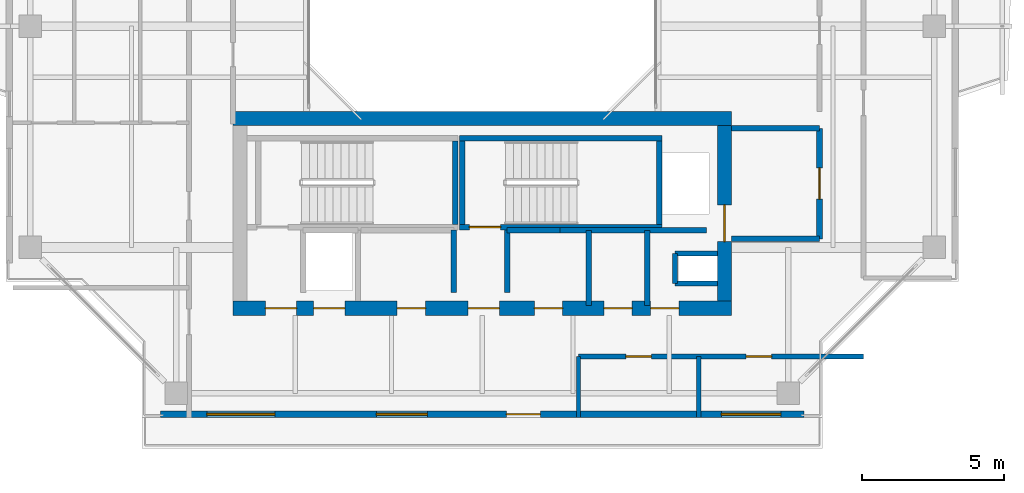
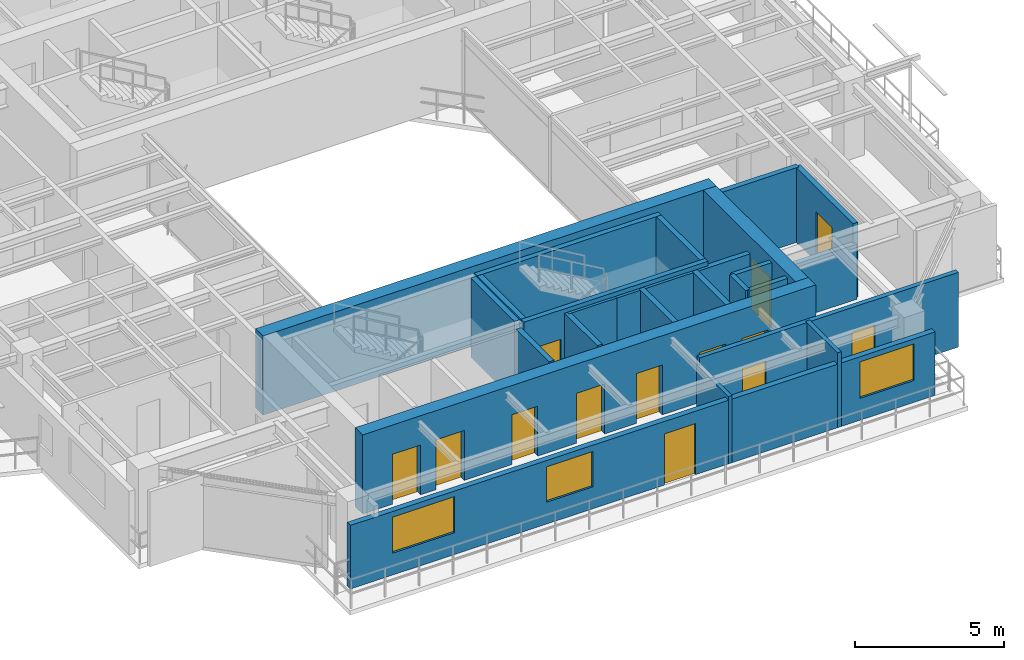
# One storey, part 10 of 16: 24 walls, 13 doors, 3 windows, 16 openings.
"""IFC4 building model written with IfcOpenShell, lengths in metres."""

import ifcopenshell
import ifcopenshell.guid

model = None  # the IFC model being written
_history = None  # IfcOwnerHistory: only IFC2X3 demands one
_inside = {}  # id of a spatial element -> (the spatial element, [elements in it])
_under = {}  # id of a project, library or spatial element -> (it, [spatial elements below it])
_declared = {}  # id of a project -> (the project, [libraries it declares])
_typed = {}  # id of a type object -> (the type object, [elements of that type])
_made_of = {}  # id of a material, layer set ... -> (it, [elements and type objects made of it])


def new_model(schema):
    """Start an empty IFC model of exactly this schema.

    Asked for "IFC4X3", IfcOpenShell would pick the latest addendum, in which some entities
    have other attributes; the version numbers below select the first issue.
    IFC2X3 requires an IfcOwnerHistory on every rooted entity: one is made here for all.
    """
    global model, _history
    if schema == "IFC4X3":
        model = ifcopenshell.file(schema_version=(4, 3, 0, 0))
    else:
        model = ifcopenshell.file(schema=schema)
    _inside.clear()
    _under.clear()
    _declared.clear()
    _typed.clear()
    _made_of.clear()
    _history = None
    if model.schema == "IFC2X3":
        org = make("IfcOrganization", Name="unknown")
        user = make(
            "IfcPersonAndOrganization",
            ThePerson=make("IfcPerson", FamilyName="unknown"),
            TheOrganization=org,
        )
        app = make(
            "IfcApplication",
            ApplicationDeveloper=org,
            Version="unknown",
            ApplicationFullName="unknown",
            ApplicationIdentifier="unknown",
        )
        _history = make(
            "IfcOwnerHistory",
            OwningUser=user,
            OwningApplication=app,
            ChangeAction="ADDED",
            CreationDate=0,
        )
    return model


def make(cls, **values):
    """One entity of the class cls with the attributes given. An attribute that is None is left unset."""
    return model.create_entity(
        cls, **{name: value for name, value in values.items() if value is not None}
    )


def rooted(cls, **values):
    """An entity with a GlobalId (a new one), such as an element, a storey or a relation."""
    return make(cls, GlobalId=ifcopenshell.guid.new(), OwnerHistory=_history, **values)


def si_unit(unit_type, name, prefix=None):
    """IfcSIUnit, for example si_unit("LENGTHUNIT", "METRE", prefix="MILLI")."""
    return make("IfcSIUnit", UnitType=unit_type, Prefix=prefix, Name=name)


def assignment(units):
    """IfcUnitAssignment: the units of a project."""
    return None if units is None else make("IfcUnitAssignment", Units=units)


def point(xyz):
    """IfcCartesianPoint."""
    return None if xyz is None else make("IfcCartesianPoint", Coordinates=xyz)


def direction(xyz):
    """IfcDirection."""
    return None if xyz is None else make("IfcDirection", DirectionRatios=xyz)


def frame(location, z_axis=None, x_axis=None):
    """IfcAxis2Placement3D, a coordinate frame: its origin and axes. An axis left out is left unset."""
    return make(
        "IfcAxis2Placement3D",
        Location=point(location),
        Axis=direction(z_axis),
        RefDirection=direction(x_axis),
    )


def frame_2d(location, x_axis=None):
    """IfcAxis2Placement2D, a coordinate frame in the plane: its origin and x axis."""
    return make(
        "IfcAxis2Placement2D", Location=point(location), RefDirection=direction(x_axis)
    )


def origin():
    """The frame at (0, 0, 0) with its axes left unset."""
    return frame((0.0, 0.0, 0.0))


def place(relative_to, where):
    """IfcLocalPlacement: puts the frame where relative to a parent placement (None: the world)."""
    return make(
        "IfcLocalPlacement", PlacementRelTo=relative_to, RelativePlacement=where
    )


def context(
    kind, dimensions, precision=None, world=None, true_north=None, identifier=None
):
    """IfcGeometricRepresentationContext, for example the 3D "Model" context."""
    return make(
        "IfcGeometricRepresentationContext",
        ContextIdentifier=identifier,
        ContextType=kind,
        CoordinateSpaceDimension=dimensions,
        Precision=precision,
        WorldCoordinateSystem=world,
        TrueNorth=true_north,
    )


def subcontext(parent, identifier, kind, view, scale=None):
    """IfcGeometricRepresentationSubContext, for example "Body" below "Model"."""
    return make(
        "IfcGeometricRepresentationSubContext",
        ContextIdentifier=identifier,
        ContextType=kind,
        ParentContext=parent,
        TargetScale=scale,
        TargetView=view,
    )


def project(units=None, contexts=None):
    """IfcProject with its units and contexts."""
    return rooted(
        "IfcProject",
        Name="project",
        RepresentationContexts=contexts,
        UnitsInContext=assignment(units),
    )


def spatial(cls, under=None, at=None, **own):
    """A site, building, storey or space (cls), placed at a placement, below another one or the project."""
    s = rooted(cls, ObjectPlacement=at, **own)
    if under is not None:
        _under.setdefault(under.id(), (under, []))[1].append(s)
    return s


def profile(cls, at=None, kind="AREA", **sizes):
    """A parametric profile (cls). Its sizes go by their IFC names, for example OverallWidth=200.0."""
    return make(cls, ProfileType=kind, Position=at, **sizes)


def rectangle(**sizes):
    """IfcRectangleProfileDef."""
    return profile("IfcRectangleProfileDef", **sizes)


def extrude(swept, where, along, depth):
    """IfcExtrudedAreaSolid: the profile swept, set in the frame where, extruded along a direction by depth."""
    return make(
        "IfcExtrudedAreaSolid",
        SweptArea=swept,
        Position=where,
        ExtrudedDirection=direction(along),
        Depth=depth,
    )


def shape(context_of_items, identifier, shape_type, items):
    """IfcShapeRepresentation: the items that make up one representation, for example the "Body"."""
    return make(
        "IfcShapeRepresentation",
        ContextOfItems=context_of_items,
        RepresentationIdentifier=identifier,
        RepresentationType=shape_type,
        Items=items,
    )


def source(mapping_origin, context_of_items, identifier, shape_type, items):
    """IfcRepresentationMap: a shape defined once, which mapped items show again and again."""
    return make(
        "IfcRepresentationMap",
        MappingOrigin=mapping_origin,
        MappedRepresentation=shape(context_of_items, identifier, shape_type, items),
    )


def transform(
    local_origin,
    x_axis=None,
    y_axis=None,
    z_axis=None,
    scale=None,
    scale2=None,
    scale3=None,
    uniform=True,
):
    """IfcCartesianTransformationOperator3D, or its non-uniform kind. x_axis, y_axis, z_axis: its Axis1, 2, 3."""
    if uniform:
        return make(
            "IfcCartesianTransformationOperator3D",
            Axis1=direction(x_axis),
            Axis2=direction(y_axis),
            LocalOrigin=point(local_origin),
            Scale=scale,
            Axis3=direction(z_axis),
        )
    return make(
        "IfcCartesianTransformationOperator3DnonUniform",
        Axis1=direction(x_axis),
        Axis2=direction(y_axis),
        LocalOrigin=point(local_origin),
        Scale=scale,
        Axis3=direction(z_axis),
        Scale2=scale2,
        Scale3=scale3,
    )


def mapped(mapping_source, mapping_target):
    """IfcMappedItem: shows the shape of a source again, moved by a transform."""
    return make(
        "IfcMappedItem", MappingSource=mapping_source, MappingTarget=mapping_target
    )


def material(Name=None, Category=None):
    """IfcMaterial."""
    return make("IfcMaterial", Name=Name, Category=Category)


def layer(
    of_material, thickness, ventilated=None, Name=None, Category=None, Priority=None
):
    """IfcMaterialLayer: one layer of a wall or slab, of a material (None: an air gap)."""
    return make(
        "IfcMaterialLayer",
        Material=of_material,
        LayerThickness=thickness,
        IsVentilated=ventilated,
        Name=Name,
        Category=Category,
        Priority=Priority,
    )


def layer_set(layers, Name=None):
    """IfcMaterialLayerSet."""
    return make("IfcMaterialLayerSet", MaterialLayers=layers, LayerSetName=Name)


def made_of(thing, what):
    """Note that an element or type object is made of a material, layer set ...; save() writes the relation."""
    if what is not None:
        _made_of.setdefault(what.id(), (what, []))[1].append(thing)
    return thing


def type_object(cls, material=None, **own):
    """A type object (cls), such as IfcWallType, which elements share."""
    return made_of(rooted(cls, **own), material)


def element(
    cls,
    number,
    at=None,
    inside=None,
    cuts=None,
    type_object=None,
    material=None,
    context=None,
    identifier="Body",
    shape_type=None,
    held_by="IfcProductDefinitionShape",
    body=None,
    shapes=None,
    **own,
):
    """One element of the class cls, such as IfcWall. Its Tag is "e" and its number.

    at: its placement. inside: the storey or other place that contains it. cuts: it is an
    opening in that element (IfcRelVoidsElement). A single representation is given by context,
    identifier, shape_type and body (its items); several are given by shapes. held_by: the class
    of the entity that holds the representations. save() writes the other relations.
    """
    e = rooted(cls, Tag="e%d" % number, ObjectPlacement=at, **own)
    if body is not None:
        shapes = [shape(context, identifier, shape_type, body)]
    if shapes is not None:
        e.Representation = make(held_by, Representations=shapes)
    if inside is not None:
        _inside.setdefault(inside.id(), (inside, []))[1].append(e)
    if cuts is not None:
        rooted(
            "IfcRelVoidsElement", RelatingBuildingElement=cuts, RelatedOpeningElement=e
        )
    if type_object is not None:
        _typed.setdefault(type_object.id(), (type_object, []))[1].append(e)
    return made_of(e, material)


def fill(opening, filler):
    """IfcRelFillsElement: the door or window that sits in an opening."""
    return rooted(
        "IfcRelFillsElement",
        RelatingOpeningElement=opening,
        RelatedBuildingElement=filler,
    )


def aggregate(whole, parts):
    """IfcRelAggregates: a whole, such as a stair, and the parts it consists of."""
    return rooted("IfcRelAggregates", RelatingObject=whole, RelatedObjects=parts)


def save(model, path):
    """Write the relations noted so far, then the file.

    IfcRelAggregates (storeys below a building ...), IfcRelContainedInSpatialStructure (elements
    in a storey), IfcRelDefinesByType, IfcRelAssociatesMaterial and IfcRelDeclares: one each for
    every whole, place, type object, material and project.
    """
    for whole, parts in _under.values():
        aggregate(whole, parts)
    for where, things in _inside.values():
        rooted(
            "IfcRelContainedInSpatialStructure",
            RelatedElements=things,
            RelatingStructure=where,
        )
    for kind, things in _typed.values():
        rooted("IfcRelDefinesByType", RelatedObjects=things, RelatingType=kind)
    for what, things in _made_of.values():
        rooted("IfcRelAssociatesMaterial", RelatedObjects=things, RelatingMaterial=what)
    for by, libraries in _declared.values():
        rooted("IfcRelDeclares", RelatingContext=by, RelatedDefinitions=libraries)
    model.write(path)


model = new_model("IFC4")

# Units and contexts
model_context = context("Model", 3, precision=1e-05, world=origin(), true_north=direction((0.0, 1.0)))
body_context = subcontext(model_context, "Body", "Model", "MODEL_VIEW")
ifc_project = project(units=[si_unit("LENGTHUNIT", "METRE"), si_unit("AREAUNIT", "SQUARE_METRE"), si_unit("VOLUMEUNIT", "CUBIC_METRE"), si_unit("PLANEANGLEUNIT", "RADIAN"), si_unit("MASSUNIT", "GRAM", prefix="KILO"), si_unit("THERMODYNAMICTEMPERATUREUNIT", "KELVIN"), si_unit("POWERUNIT", "WATT")], contexts=[model_context])

# Site, building, storey
site_placement = place(None, origin())
site = spatial("IfcSite", under=ifc_project, at=site_placement, CompositionType="ELEMENT")
building_placement = place(site_placement, origin())
building = spatial("IfcBuilding", under=site, at=building_placement, Name="Qiaomeng Ring Towers", CompositionType="ELEMENT")
storey_placement = place(building_placement, frame((0.0, 0.0, 190.5)))
storey = spatial("IfcBuildingStorey", under=building, at=storey_placement, Name="L55", CompositionType="ELEMENT", Elevation=190.5)

# Wall, openings, windows, door
ifc_material_1 = material(Name="Precast concrete C40", Category="concrete")
ifc_layer_1 = layer(ifc_material_1, 0.219970703125, Name="Precast concrete C40")
ifc_layer_set_1 = layer_set([ifc_layer_1], Name="Precast concrete C40")
wall_type_1 = type_object("IfcWallType", Name="ARC-WL-EW2", PredefinedType="STANDARD", material=ifc_layer_set_1)
wall_1_placement = place(storey_placement, frame((7.64990234375, 6.31005859375, 0.0), z_axis=(0.0, 0.0, 1.0), x_axis=(1.0, 0.0, 0.0)))
wall_1 = element("IfcWall", 1, at=wall_1_placement, inside=storey, type_object=wall_type_1, Name="L55 Tower 1 S Exterior Wall", PredefinedType="STANDARD", context=body_context, shape_type="SweptSolid", body=[
    extrude(rectangle(XDim=22.7001953125, YDim=0.219970703125, at=frame_2d((11.35009765625, 0.0))), origin(), (0.0, 0.0, 1.0), 2.610107421875),
])
opening_1_placement = place(wall_1_placement, frame((12.199951171875, 0.0, 0.0)))
opening_1 = element("IfcOpeningElement", 2, at=opening_1_placement, cuts=wall_1, Name="Opening BD1", PredefinedType="OPENING", context=body_context, shape_type="SweptSolid", body=[
    extrude(rectangle(XDim=1.199951171875, YDim=2.10009765625, at=frame_2d((0.60009765625, 1.050048828125))), frame((0.0, 0.119873046875, 0.0), z_axis=(0.0, -1.0, 0.0), x_axis=(1.0, 0.0, 0.0)), (0.0, 0.0, 1.0), 0.239990234375),
])
opening_2_placement = place(wall_1_placement, frame((1.636962890625, 0.0, 0.89990234375)))
opening_2 = element("IfcOpeningElement", 3, at=opening_2_placement, cuts=wall_1, Name="Opening WN6", PredefinedType="OPENING", context=body_context, shape_type="SweptSolid", body=[
    extrude(rectangle(XDim=2.39990234375, YDim=1.47998046875, at=frame_2d((1.199951171875, 0.739990234375))), frame((0.0, 0.119873046875, 0.0), z_axis=(0.0, -1.0, 0.0), x_axis=(1.0, 0.0, 0.0)), (0.0, 0.0, 1.0), 0.239990234375),
])
opening_3_placement = place(wall_1_placement, frame((7.612060546875, 0.0, 0.89990234375)))
opening_3 = element("IfcOpeningElement", 4, at=opening_3_placement, cuts=wall_1, Name="Opening WN1", PredefinedType="OPENING", context=body_context, shape_type="SweptSolid", body=[
    extrude(rectangle(XDim=1.800048828125, YDim=1.449951171875, at=frame_2d((0.89990234375, 0.72509765625))), frame((0.0, 0.119873046875, 0.0), z_axis=(0.0, -1.0, 0.0), x_axis=(1.0, 0.0, 0.0)), (0.0, 0.0, 1.0), 0.239990234375),
])
opening_4_placement = place(wall_1_placement, frame((19.78759765625, 0.0, 0.89990234375)))
opening_4 = element("IfcOpeningElement", 5, at=opening_4_placement, cuts=wall_1, Name="Opening WN4", PredefinedType="OPENING", context=body_context, shape_type="SweptSolid", body=[
    extrude(rectangle(XDim=2.10009765625, YDim=1.5, at=frame_2d((1.050048828125, 0.75))), frame((0.0, 0.119873046875, 0.0), z_axis=(0.0, -1.0, 0.0), x_axis=(1.0, 0.0, 0.0)), (0.0, 0.0, 1.0), 0.239990234375),
])
ifc_material_2 = material(Name="Low-E dark-grey laminated double glazing", Category="glass")
window_type_1 = type_object("IfcWindowType", Name="ARC-WN-4", PartitioningType="TRIPLE_PANEL_VERTICAL", PredefinedType="WINDOW", material=ifc_material_2)
shared_shape_1 = source(origin(), body_context, "Body", "SweptSolid", [
    extrude(rectangle(XDim=2.10009765625, YDim=1.5, at=frame_2d((1.050048828125, 0.75))), frame((0.0, 0.030029296875, 0.0), z_axis=(0.0, -1.0, 0.0), x_axis=(1.0, 0.0, 0.0)), (0.0, 0.0, 1.0), 0.06005859375),
])
window_1_placement = place(opening_4_placement, origin())
window_1 = element("IfcWindow", 6, at=window_1_placement, inside=storey, type_object=window_type_1, Name="L55 Exterior Window WN4", OverallHeight=1.5, OverallWidth=2.10009765625, PartitioningType="TRIPLE_PANEL_VERTICAL", PredefinedType="WINDOW", context=body_context, shape_type="MappedRepresentation", body=[
    mapped(shared_shape_1, transform((0.0, 0.0, 0.0), x_axis=(1.0, 0.0, 0.0), y_axis=(0.0, 1.0, 0.0), z_axis=(0.0, 0.0, 1.0), scale=1.0)),
])
fill(opening_4, window_1)
window_type_2 = type_object("IfcWindowType", Name="ARC-WN-1", PartitioningType="DOUBLE_PANEL_VERTICAL", PredefinedType="WINDOW", material=ifc_material_2)
shared_shape_2 = source(origin(), body_context, "Body", "SweptSolid", [
    extrude(rectangle(XDim=1.800048828125, YDim=1.449951171875, at=frame_2d((0.89990234375, 0.72509765625))), frame((0.0, 0.030029296875, 0.0), z_axis=(0.0, -1.0, 0.0), x_axis=(1.0, 0.0, 0.0)), (0.0, 0.0, 1.0), 0.06005859375),
])
window_2_placement = place(opening_3_placement, origin())
window_2 = element("IfcWindow", 7, at=window_2_placement, inside=storey, type_object=window_type_2, Name="L55 Exterior Window WN1", OverallHeight=1.449951171875, OverallWidth=1.800048828125, PartitioningType="DOUBLE_PANEL_VERTICAL", PredefinedType="WINDOW", context=body_context, shape_type="MappedRepresentation", body=[
    mapped(shared_shape_2, transform((0.0, 0.0, 0.0), x_axis=(1.0, 0.0, 0.0), y_axis=(0.0, 1.0, 0.0), z_axis=(0.0, 0.0, 1.0), scale=1.0)),
])
fill(opening_3, window_2)
window_type_3 = type_object("IfcWindowType", Name="ARC-WN-6", PartitioningType="TRIPLE_PANEL_VERTICAL", PredefinedType="WINDOW", material=ifc_material_2)
shared_shape_3 = source(origin(), body_context, "Body", "SweptSolid", [
    extrude(rectangle(XDim=2.39990234375, YDim=1.47998046875, at=frame_2d((1.199951171875, 0.739990234375))), frame((0.0, 0.030029296875, 0.0), z_axis=(0.0, -1.0, 0.0), x_axis=(1.0, 0.0, 0.0)), (0.0, 0.0, 1.0), 0.06005859375),
])
window_3_placement = place(opening_2_placement, origin())
window_3 = element("IfcWindow", 8, at=window_3_placement, inside=storey, type_object=window_type_3, Name="L55 Exterior Window WN6", OverallHeight=1.47998046875, OverallWidth=2.39990234375, PartitioningType="TRIPLE_PANEL_VERTICAL", PredefinedType="WINDOW", context=body_context, shape_type="MappedRepresentation", body=[
    mapped(shared_shape_3, transform((0.0, 0.0, 0.0), x_axis=(1.0, 0.0, 0.0), y_axis=(0.0, 1.0, 0.0), z_axis=(0.0, 0.0, 1.0), scale=1.0)),
])
fill(opening_2, window_3)
door_type_1 = type_object("IfcDoorType", Name="ARC-DR-BD1", OperationType="NOTDEFINED", PredefinedType="DOOR", material=ifc_material_2)
shared_shape_4 = source(origin(), body_context, "Body", "SweptSolid", [
    extrude(rectangle(XDim=1.199951171875, YDim=2.10009765625, at=frame_2d((0.60009765625, 1.050048828125))), frame((0.0, 0.02490234375, 0.0), z_axis=(0.0, -1.0, 0.0), x_axis=(1.0, 0.0, 0.0)), (0.0, 0.0, 1.0), 0.050048828125),
])
door_1_placement = place(opening_1_placement, frame((1.199951171875, 0.0, 0.0), z_axis=(0.0, 0.0, 1.0), x_axis=(-1.0, 0.0, 0.0)))
door_1 = element("IfcDoor", 9, at=door_1_placement, inside=storey, type_object=door_type_1, Name="L55 Setback Sky Terrace Door", OperationType="SINGLE_SWING_RIGHT", OverallHeight=2.10009765625, OverallWidth=1.199951171875, PredefinedType="DOOR", context=body_context, shape_type="MappedRepresentation", body=[
    mapped(shared_shape_4, transform((0.0, 0.0, 0.0), x_axis=(1.0, 0.0, 0.0), y_axis=(0.0, 1.0, 0.0), z_axis=(0.0, 0.0, 1.0), scale=1.0)),
])
fill(opening_1, door_1)

# Walls
ifc_material_3 = material(Name="Autoclaved aerated concrete block", Category="concrete")
ifc_layer_2 = layer(ifc_material_3, 0.199951171875, Name="Autoclaved aerated concrete block")
ifc_layer_set_2 = layer_set([ifc_layer_2], Name="Autoclaved aerated concrete block")
wall_type_2 = type_object("IfcWallType", Name="ARC-WL-PW1", PredefinedType="PARTITIONING", material=ifc_layer_set_2)
wall_2_placement = place(storey_placement, frame((27.800048828125, 16.39990234375, 0.0), z_axis=(0.0, 0.0, 1.0), x_axis=(1.0, 0.0, 0.0)))
element("IfcWall", 10, at=wall_2_placement, inside=storey, type_object=wall_type_2, Name="L55 Interior Wall PW1", PredefinedType="PARTITIONING", context=body_context, shape_type="SweptSolid", body=[
    extrude(rectangle(XDim=3.099853515625, YDim=0.199951171875, at=frame_2d((1.5498046875, 0.0))), origin(), (0.0, 0.0, 1.0), 3.070068359375),
])
wall_3_placement = place(storey_placement, frame((27.800048828125, 12.5, 0.0), z_axis=(0.0, 0.0, 1.0), x_axis=(1.0, 0.0, 0.0)))
element("IfcWall", 11, at=wall_3_placement, inside=storey, type_object=wall_type_2, Name="L55 Interior Wall PW1", PredefinedType="PARTITIONING", context=body_context, shape_type="SweptSolid", body=[
    extrude(rectangle(XDim=3.099853515625, YDim=0.199951171875, at=frame_2d((1.5498046875, 0.0))), origin(), (0.0, 0.0, 1.0), 2.264892578125),
])

# Wall, opening, door
wall_4_placement = place(storey_placement, frame((30.89990234375, 12.5, 0.0), z_axis=(0.0, 0.0, 1.0), x_axis=(0.0, 1.0, 0.0)))
wall_4 = element("IfcWall", 12, at=wall_4_placement, inside=storey, type_object=wall_type_2, Name="L55 Interior Wall PW1", PredefinedType="PARTITIONING", context=body_context, shape_type="SweptSolid", body=[
    extrude(rectangle(XDim=3.89990234375, YDim=0.199951171875, at=frame_2d((1.949951171875, 0.0))), origin(), (0.0, 0.0, 1.0), 3.070068359375),
])
opening_5_placement = place(wall_4_placement, frame((1.39990234375, 0.0, 0.0)))
opening_5 = element("IfcOpeningElement", 13, at=opening_5_placement, cuts=wall_4, Name="Opening FD3", PredefinedType="OPENING", context=body_context, shape_type="SweptSolid", body=[
    extrude(rectangle(XDim=1.10009765625, YDim=2.050048828125, at=frame_2d((0.550048828125, 1.02490234375))), frame((0.0, 0.10986328125, 0.0), z_axis=(0.0, -1.0, 0.0), x_axis=(1.0, 0.0, 0.0)), (0.0, 0.0, 1.0), 0.219970703125),
])
ifc_material_4 = material(Name="Galvanised steel", Category="steel")
door_type_2 = type_object("IfcDoorType", Name="ARC-DR-FD3", OperationType="NOTDEFINED", PredefinedType="DOOR", material=ifc_material_4)
shared_shape_5 = source(origin(), body_context, "Body", "SweptSolid", [
    extrude(rectangle(XDim=1.10009765625, YDim=2.050048828125, at=frame_2d((0.550048828125, 1.02490234375))), frame((0.0, 0.02490234375, 0.0), z_axis=(0.0, -1.0, 0.0), x_axis=(1.0, 0.0, 0.0)), (0.0, 0.0, 1.0), 0.050048828125),
])
door_2_placement = place(opening_5_placement, origin())
door_2 = element("IfcDoor", 14, at=door_2_placement, inside=storey, type_object=door_type_2, Name="L55 South FF Lobby Door", OperationType="SINGLE_SWING_RIGHT", OverallHeight=2.050048828125, OverallWidth=1.10009765625, PredefinedType="DOOR", context=body_context, shape_type="MappedRepresentation", body=[
    mapped(shared_shape_5, transform((0.0, 0.0, 0.0), x_axis=(1.0, 0.0, 0.0), y_axis=(0.0, 1.0, 0.0), z_axis=(0.0, 0.0, 1.0), scale=1.0)),
])
fill(opening_5, door_2)

# Walls
for number, where, z_axis, x_axis, name in (
    (15, (18.0, 10.60009765625, 0.0), (0.0, 0.0, 1.0), (0.0, 1.0, 0.0), "L55 Interior Wall PW1"),
    (16, (19.8798828125, 10.60009765625, 0.0), (0.0, 0.0, 1.0), (0.0, 1.0, 0.0), "L55 Interior Wall PW1"),
):
    element("IfcWall", number, at=place(storey_placement, frame(where, z_axis=z_axis, x_axis=x_axis)), inside=storey, type_object=wall_type_2, Name=name, PredefinedType="PARTITIONING", context=body_context, shape_type="SweptSolid", body=[
        extrude(rectangle(XDim=2.2099609375, YDim=0.199951171875, at=frame_2d((1.10498046875, 0.0))), origin(), (0.0, 0.0, 1.0), 3.070068359375),
    ])
wall_5_placement = place(storey_placement, frame((24.820068359375, 10.14990234375, 0.0), z_axis=(0.0, 0.0, 1.0), x_axis=(0.0, 1.0, 0.0)))
element("IfcWall", 17, at=wall_5_placement, inside=storey, type_object=wall_type_2, Name="L55 Interior Wall PW1", PredefinedType="PARTITIONING", context=body_context, shape_type="SweptSolid", body=[
    extrude(rectangle(XDim=2.650146484375, YDim=0.199951171875, at=frame_2d((1.3251953125, 0.0))), origin(), (0.0, 0.0, 1.0), 3.070068359375),
])
wall_6_placement = place(storey_placement, frame((19.8798828125, 12.800048828125, 0.0), z_axis=(0.0, 0.0, 1.0), x_axis=(1.0, 0.0, 0.0)))
element("IfcWall", 18, at=wall_6_placement, inside=storey, type_object=wall_type_2, Name="L55 Interior Wall PW1", PredefinedType="PARTITIONING", context=body_context, shape_type="SweptSolid", body=[
    extrude(rectangle(XDim=1.8701171875, YDim=0.199951171875, at=frame_2d((0.93505859375, 0.0))), origin(), (0.0, 0.0, 1.0), 3.070068359375),
])
wall_7_placement = place(storey_placement, frame((22.760009765625, 10.14990234375, 0.0), z_axis=(0.0, 0.0, 1.0), x_axis=(0.0, 1.0, 0.0)))
element("IfcWall", 19, at=wall_7_placement, inside=storey, type_object=wall_type_2, Name="L55 Interior Wall PW1", PredefinedType="PARTITIONING", context=body_context, shape_type="SweptSolid", body=[
    extrude(rectangle(XDim=2.650146484375, YDim=0.199951171875, at=frame_2d((1.3251953125, 0.0))), origin(), (0.0, 0.0, 1.0), 3.070068359375),
])
wall_8_placement = place(storey_placement, frame((21.75, 12.800048828125, 0.0), z_axis=(0.0, 0.0, 1.0), x_axis=(1.0, 0.0, 0.0)))
element("IfcWall", 20, at=wall_8_placement, inside=storey, type_object=wall_type_2, Name="L55 Interior Wall PW1", PredefinedType="PARTITIONING", context=body_context, shape_type="SweptSolid", body=[
    extrude(rectangle(XDim=5.169921875, YDim=0.199951171875, at=frame_2d((2.5849609375, 0.0))), origin(), (0.0, 0.0, 1.0), 3.070068359375),
])

# Wall, openings, doors
ifc_layer_3 = layer(ifc_material_3, 0.179931640625, Name="Autoclaved aerated concrete block")
ifc_layer_set_3 = layer_set([ifc_layer_3], Name="Autoclaved aerated concrete block")
wall_type_3 = type_object("IfcWallType", Name="ARC-WL-PW2", PredefinedType="PARTITIONING", material=ifc_layer_set_3)
wall_9_placement = place(storey_placement, frame((22.39990234375, 8.35009765625, 0.0), z_axis=(0.0, 0.0, 1.0), x_axis=(1.0, 0.0, 0.0)))
wall_9 = element("IfcWall", 21, at=wall_9_placement, inside=storey, type_object=wall_type_3, Name="L55 Interior Wall PW2", PredefinedType="PARTITIONING", context=body_context, shape_type="SweptSolid", body=[
    extrude(rectangle(XDim=10.050048828125, YDim=0.179931640625, at=frame_2d((5.02490234375, 0.0))), origin(), (0.0, 0.0, 1.0), 3.070068359375),
])
opening_6_placement = place(wall_9_placement, frame((1.669921875, 0.0, 0.0)))
opening_6 = element("IfcOpeningElement", 22, at=opening_6_placement, cuts=wall_9, Name="Opening ID1", PredefinedType="OPENING", context=body_context, shape_type="SweptSolid", body=[
    extrude(rectangle(XDim=0.89990234375, YDim=2.050048828125, at=frame_2d((0.449951171875, 1.02490234375))), frame((0.0, 0.099853515625, 0.0), z_axis=(0.0, -1.0, 0.0), x_axis=(1.0, 0.0, 0.0)), (0.0, 0.0, 1.0), 0.199951171875),
])
opening_7_placement = place(wall_9_placement, frame((5.909912109375, 0.0, 0.0)))
opening_7 = element("IfcOpeningElement", 23, at=opening_7_placement, cuts=wall_9, Name="Opening ID1", PredefinedType="OPENING", context=body_context, shape_type="SweptSolid", body=[
    extrude(rectangle(XDim=0.89990234375, YDim=2.050048828125, at=frame_2d((0.449951171875, 1.02490234375))), frame((0.0, 0.099853515625, 0.0), z_axis=(0.0, -1.0, 0.0), x_axis=(1.0, 0.0, 0.0)), (0.0, 0.0, 1.0), 0.199951171875),
])
ifc_material_5 = material(Name="Engineered oak timber", Category="wood")
door_type_3 = type_object("IfcDoorType", Name="ARC-DR-ID1", OperationType="NOTDEFINED", PredefinedType="DOOR", material=ifc_material_5)
shared_shape_6 = source(origin(), body_context, "Body", "SweptSolid", [
    extrude(rectangle(XDim=0.89990234375, YDim=2.050048828125, at=frame_2d((0.449951171875, 1.02490234375))), frame((0.0, 0.02490234375, 0.0), z_axis=(0.0, -1.0, 0.0), x_axis=(1.0, 0.0, 0.0)), (0.0, 0.0, 1.0), 0.050048828125),
])
door_3_placement = place(opening_6_placement, origin())
door_3 = element("IfcDoor", 24, at=door_3_placement, inside=storey, type_object=door_type_3, Name="L55 Door ID1", OperationType="SINGLE_SWING_LEFT", OverallHeight=2.050048828125, OverallWidth=0.89990234375, PredefinedType="DOOR", context=body_context, shape_type="MappedRepresentation", body=[
    mapped(shared_shape_6, transform((0.0, 0.0, 0.0), x_axis=(1.0, 0.0, 0.0), y_axis=(0.0, 1.0, 0.0), z_axis=(0.0, 0.0, 1.0), scale=1.0)),
])
fill(opening_6, door_3)
door_4_placement = place(opening_7_placement, origin())
door_4 = element("IfcDoor", 25, at=door_4_placement, inside=storey, type_object=door_type_3, Name="L55 Door ID1", OperationType="SINGLE_SWING_RIGHT", OverallHeight=2.050048828125, OverallWidth=0.89990234375, PredefinedType="DOOR", context=body_context, shape_type="MappedRepresentation", body=[
    mapped(shared_shape_6, transform((0.0, 0.0, 0.0), x_axis=(1.0, 0.0, 0.0), y_axis=(0.0, 1.0, 0.0), z_axis=(0.0, 0.0, 1.0), scale=1.0)),
])
fill(opening_7, door_4)

# Walls
ifc_material_6 = material(Name="Gypsum fireboard steel-stud partition", Category="steel")
ifc_layer_4 = layer(ifc_material_6, 0.14990234375, Name="Gypsum fireboard steel-stud partition")
ifc_layer_set_4 = layer_set([ifc_layer_4], Name="Gypsum fireboard steel-stud partition")
wall_type_4 = type_object("IfcWallType", Name="ARC-WL-PW3", PredefinedType="PARTITIONING", material=ifc_layer_set_4)
wall_10_placement = place(storey_placement, frame((22.39990234375, 6.199951171875, 0.0), z_axis=(0.0, 0.0, 1.0), x_axis=(0.0, 1.0, 0.0)))
element("IfcWall", 26, at=wall_10_placement, inside=storey, type_object=wall_type_4, Name="L55 Interior Wall PW3", PredefinedType="PARTITIONING", context=body_context, shape_type="SweptSolid", body=[
    extrude(rectangle(XDim=2.150146484375, YDim=0.14990234375, at=frame_2d((1.0751953125, 0.0))), origin(), (0.0, 0.0, 1.0), 2.764892578125),
])
wall_11_placement = place(storey_placement, frame((26.639892578125, 6.199951171875, 0.0), z_axis=(0.0, 0.0, 1.0), x_axis=(0.0, 1.0, 0.0)))
element("IfcWall", 27, at=wall_11_placement, inside=storey, type_object=wall_type_4, Name="L55 Interior Wall PW3", PredefinedType="PARTITIONING", context=body_context, shape_type="SweptSolid", body=[
    extrude(rectangle(XDim=2.150146484375, YDim=0.14990234375, at=frame_2d((1.0751953125, 0.0))), origin(), (0.0, 0.0, 1.0), 3.070068359375),
])
ifc_material_7 = material(Name="Concrete C40", Category="concrete")
ifc_layer_5 = layer(ifc_material_7, 0.199951171875, Name="Concrete C40")
ifc_layer_set_5 = layer_set([ifc_layer_5], Name="Concrete C40")
wall_type_5 = type_object("IfcWallType", Name="STR-WL-STSHAFT", PredefinedType="SHEAR", material=ifc_layer_set_5)
wall_12_placement = place(storey_placement, frame((25.800048828125, 10.919921875, 0.0), z_axis=(0.0, 0.0, 1.0), x_axis=(0.0, 1.0, 0.0)))
element("IfcWall", 28, at=wall_12_placement, inside=storey, type_object=wall_type_5, Name="L55 Riser RSR1 West Shaft Wall S", PredefinedType="SHEAR", context=body_context, shape_type="SweptSolid", body=[
    extrude(rectangle(XDim=1.06005859375, YDim=0.179931640625, at=frame_2d((0.530029296875, 0.0))), origin(), (0.0, 0.0, 1.0), 3.070068359375),
])
for number, where, z_axis, x_axis, name in (
    (29, (25.800048828125, 11.97998046875, 0.0), (0.0, 0.0, 1.0), (1.0, 0.0, 0.0), "L55 Riser RSR1 North Shaft Wall S"),
    (30, (25.800048828125, 10.919921875, 0.0), (0.0, 0.0, 1.0), (1.0, 0.0, 0.0), "L55 Riser RSR1 South Shaft Wall S"),
):
    element("IfcWall", number, at=place(storey_placement, frame(where, z_axis=z_axis, x_axis=x_axis)), inside=storey, type_object=wall_type_5, Name=name, PredefinedType="SHEAR", context=body_context, shape_type="SweptSolid", body=[
        extrude(rectangle(XDim=1.5, YDim=0.179931640625, at=frame_2d((0.75, 0.0))), origin(), (0.0, 0.0, 1.0), 3.070068359375),
    ])
wall_13_placement = place(storey_placement, frame((18.050048828125, 13.010009765625, 0.0), z_axis=(0.0, 0.0, 1.0), x_axis=(0.0, 1.0, 0.0)))
element("IfcWall", 31, at=wall_13_placement, inside=storey, type_object=wall_type_5, Name="L55 Stair ST3 East Shaft Shear Wall", PredefinedType="SHEAR", context=body_context, shape_type="SweptSolid", body=[
    extrude(rectangle(XDim=2.93994140625, YDim=0.199951171875, at=frame_2d((1.469970703125, 0.0))), origin(), (0.0, 0.0, 1.0), 3.25),
])

# Wall, opening, door
wall_14_placement = place(storey_placement, frame((18.199951171875, 12.909912109375, 0.0), z_axis=(0.0, 0.0, 1.0), x_axis=(1.0, 0.0, 0.0)))
wall_14 = element("IfcWall", 32, at=wall_14_placement, inside=storey, type_object=wall_type_5, Name="L55 Stair ST4 South Shaft Shear Wall", PredefinedType="SHEAR", context=body_context, shape_type="SweptSolid", body=[
    extrude(rectangle(XDim=7.150146484375, YDim=0.199951171875, at=frame_2d((3.5751953125, 0.0))), origin(), (0.0, 0.0, 1.0), 3.25),
])
opening_8_placement = place(wall_14_placement, frame((0.35009765625, 0.0, 0.0)))
opening_8 = element("IfcOpeningElement", 33, at=opening_8_placement, cuts=wall_14, Name="Opening FD3", PredefinedType="OPENING", context=body_context, shape_type="SweptSolid", body=[
    extrude(rectangle(XDim=1.10009765625, YDim=2.050048828125, at=frame_2d((0.550048828125, 1.02490234375))), frame((0.0, 0.10986328125, 0.0), z_axis=(0.0, -1.0, 0.0), x_axis=(1.0, 0.0, 0.0)), (0.0, 0.0, 1.0), 0.219970703125),
])
door_5_placement = place(opening_8_placement, frame((1.10009765625, 0.0, 0.0), z_axis=(0.0, 0.0, 1.0), x_axis=(-1.0, 0.0, 0.0)))
door_5 = element("IfcDoor", 34, at=door_5_placement, inside=storey, type_object=door_type_2, Name="L55 Stair ST4 Exit Door", OperationType="SINGLE_SWING_RIGHT", OverallHeight=2.050048828125, OverallWidth=1.10009765625, PredefinedType="DOOR", context=body_context, shape_type="MappedRepresentation", body=[
    mapped(shared_shape_5, transform((0.0, 0.0, 0.0), x_axis=(1.0, 0.0, 0.0), y_axis=(0.0, 1.0, 0.0), z_axis=(0.0, 0.0, 1.0), scale=1.0)),
])
fill(opening_8, door_5)

# Walls
wall_15_placement = place(storey_placement, frame((18.199951171875, 16.050048828125, 0.0), z_axis=(0.0, 0.0, 1.0), x_axis=(1.0, 0.0, 0.0)))
element("IfcWall", 35, at=wall_15_placement, inside=storey, type_object=wall_type_5, Name="L55 Stair ST4 North Shaft Shear Wall", PredefinedType="SHEAR", context=body_context, shape_type="SweptSolid", body=[
    extrude(rectangle(XDim=7.150146484375, YDim=0.199951171875, at=frame_2d((3.5751953125, 0.0))), origin(), (0.0, 0.0, 1.0), 3.25),
])
for number, where, z_axis, x_axis, name in (
    (36, (18.300048828125, 13.010009765625, 0.0), (0.0, 0.0, 1.0), (0.0, 1.0, 0.0), "L55 Stair ST4 West Shaft Shear Wall"),
    (37, (25.25, 13.010009765625, 0.0), (0.0, 0.0, 1.0), (0.0, 1.0, 0.0), "L55 Stair ST4 East Shaft Shear Wall"),
):
    element("IfcWall", number, at=place(storey_placement, frame(where, z_axis=z_axis, x_axis=x_axis)), inside=storey, type_object=wall_type_5, Name=name, PredefinedType="SHEAR", context=body_context, shape_type="SweptSolid", body=[
        extrude(rectangle(XDim=2.93994140625, YDim=0.199951171875, at=frame_2d((1.469970703125, 0.0))), origin(), (0.0, 0.0, 1.0), 3.25),
    ])

# Wall, openings, doors
ifc_layer_6 = layer(ifc_material_7, 0.5, Name="Concrete C40")
ifc_layer_set_6 = layer_set([ifc_layer_6], Name="Concrete C40")
wall_type_6 = type_object("IfcWallType", Name="STR-WL-SW3", PredefinedType="SHEAR", material=ifc_layer_set_6)
wall_16_placement = place(storey_placement, frame((10.199951171875, 10.050048828125, 0.0), z_axis=(0.0, 0.0, 1.0), x_axis=(1.0, 0.0, 0.0)))
wall_16 = element("IfcWall", 38, at=wall_16_placement, inside=storey, type_object=wall_type_6, Name="L55 T1SC south core shear wall", PredefinedType="SHEAR", context=body_context, shape_type="SweptSolid", body=[
    extrude(rectangle(XDim=17.60009765625, YDim=0.5, at=frame_2d((8.800048828125, 0.0))), origin(), (0.0, 0.0, 1.0), 3.25),
])
opening_9_placement = place(wall_16_placement, frame((1.14990234375, 0.0, 0.0)))
opening_9 = element("IfcOpeningElement", 39, at=opening_9_placement, cuts=wall_16, Name="Opening FD3", PredefinedType="OPENING", context=body_context, shape_type="SweptSolid", body=[
    extrude(rectangle(XDim=1.10009765625, YDim=2.050048828125, at=frame_2d((0.550048828125, 1.02490234375))), frame((0.0, 0.260009765625, 0.0), z_axis=(0.0, -1.0, 0.0), x_axis=(1.0, 0.0, 0.0)), (0.0, 0.0, 1.0), 0.52001953125),
])
opening_10_placement = place(wall_16_placement, frame((8.300048828125, 0.0, 0.0)))
opening_10 = element("IfcOpeningElement", 40, at=opening_10_placement, cuts=wall_16, Name="Opening FD3", PredefinedType="OPENING", context=body_context, shape_type="SweptSolid", body=[
    extrude(rectangle(XDim=1.10009765625, YDim=2.050048828125, at=frame_2d((0.550048828125, 1.02490234375))), frame((0.0, 0.260009765625, 0.0), z_axis=(0.0, -1.0, 0.0), x_axis=(1.0, 0.0, 0.0)), (0.0, 0.0, 1.0), 0.52001953125),
])
opening_11_placement = place(wall_16_placement, frame((2.85009765625, 0.0, 0.0)))
opening_11 = element("IfcOpeningElement", 41, at=opening_11_placement, cuts=wall_16, Name="Opening LD1", PredefinedType="OPENING", context=body_context, shape_type="SweptSolid", body=[
    extrude(rectangle(XDim=1.10009765625, YDim=2.050048828125, at=frame_2d((0.550048828125, 1.02490234375))), frame((0.0, 0.260009765625, 0.0), z_axis=(0.0, -1.0, 0.0), x_axis=(1.0, 0.0, 0.0)), (0.0, 0.0, 1.0), 0.52001953125),
])
opening_12_placement = place(wall_16_placement, frame((5.800048828125, 0.0, 0.0)))
opening_12 = element("IfcOpeningElement", 42, at=opening_12_placement, cuts=wall_16, Name="Opening FD1", PredefinedType="OPENING", context=body_context, shape_type="SweptSolid", body=[
    extrude(rectangle(XDim=1.0, YDim=2.050048828125, at=frame_2d((0.5, 1.02490234375))), frame((0.0, 0.260009765625, 0.0), z_axis=(0.0, -1.0, 0.0), x_axis=(1.0, 0.0, 0.0)), (0.0, 0.0, 1.0), 0.52001953125),
])
opening_13_placement = place(wall_16_placement, frame((14.739990234375, 0.0, 0.0)))
opening_13 = element("IfcOpeningElement", 43, at=opening_13_placement, cuts=wall_16, Name="Opening FD1", PredefinedType="OPENING", context=body_context, shape_type="SweptSolid", body=[
    extrude(rectangle(XDim=1.0, YDim=2.050048828125, at=frame_2d((0.5, 1.02490234375))), frame((0.0, 0.260009765625, 0.0), z_axis=(0.0, -1.0, 0.0), x_axis=(1.0, 0.0, 0.0)), (0.0, 0.0, 1.0), 0.52001953125),
])
opening_14_placement = place(wall_16_placement, frame((10.639892578125, 0.0, 0.0)))
opening_14 = element("IfcOpeningElement", 44, at=opening_14_placement, cuts=wall_16, Name="Opening FD1", PredefinedType="OPENING", context=body_context, shape_type="SweptSolid", body=[
    extrude(rectangle(XDim=1.0, YDim=2.050048828125, at=frame_2d((0.5, 1.02490234375))), frame((0.0, 0.260009765625, 0.0), z_axis=(0.0, -1.0, 0.0), x_axis=(1.0, 0.0, 0.0)), (0.0, 0.0, 1.0), 0.52001953125),
])
opening_15_placement = place(wall_16_placement, frame((13.090087890625, 0.0, 0.0)))
opening_15 = element("IfcOpeningElement", 45, at=opening_15_placement, cuts=wall_16, Name="Opening FD1", PredefinedType="OPENING", context=body_context, shape_type="SweptSolid", body=[
    extrude(rectangle(XDim=1.0, YDim=2.050048828125, at=frame_2d((0.5, 1.02490234375))), frame((0.0, 0.260009765625, 0.0), z_axis=(0.0, -1.0, 0.0), x_axis=(1.0, 0.0, 0.0)), (0.0, 0.0, 1.0), 0.52001953125),
])
door_6_placement = place(opening_9_placement, origin())
door_6 = element("IfcDoor", 46, at=door_6_placement, inside=storey, type_object=door_type_2, Name="L55 Stair ST3 Lobby Door", OperationType="SINGLE_SWING_LEFT", OverallHeight=2.050048828125, OverallWidth=1.10009765625, PredefinedType="DOOR", context=body_context, shape_type="MappedRepresentation", body=[
    mapped(shared_shape_5, transform((0.0, 0.0, 0.0), x_axis=(1.0, 0.0, 0.0), y_axis=(0.0, 1.0, 0.0), z_axis=(0.0, 0.0, 1.0), scale=1.0)),
])
fill(opening_9, door_6)
door_7_placement = place(opening_10_placement, origin())
door_7 = element("IfcDoor", 47, at=door_7_placement, inside=storey, type_object=door_type_2, Name="L55 Stair ST4 Lobby Door", OperationType="SINGLE_SWING_LEFT", OverallHeight=2.050048828125, OverallWidth=1.10009765625, PredefinedType="DOOR", context=body_context, shape_type="MappedRepresentation", body=[
    mapped(shared_shape_5, transform((0.0, 0.0, 0.0), x_axis=(1.0, 0.0, 0.0), y_axis=(0.0, 1.0, 0.0), z_axis=(0.0, 0.0, 1.0), scale=1.0)),
])
fill(opening_10, door_7)
ifc_material_8 = material(Name="Stainless steel 316", Category="steel")
door_type_4 = type_object("IfcDoorType", Name="ARC-DR-LD1", OperationType="NOTDEFINED", PredefinedType="DOOR", material=ifc_material_8)
door_8_placement = place(opening_11_placement, origin())
door_8 = element("IfcDoor", 48, at=door_8_placement, inside=storey, type_object=door_type_4, Name="L55 High-Zone Lift LP6 Landing Door", OperationType="SLIDING_TO_RIGHT", OverallHeight=2.050048828125, OverallWidth=1.10009765625, PredefinedType="DOOR", context=body_context, shape_type="MappedRepresentation", body=[
    mapped(shared_shape_5, transform((0.0, 0.0, 0.0), x_axis=(1.0, 0.0, 0.0), y_axis=(0.0, 1.0, 0.0), z_axis=(0.0, 0.0, 1.0), scale=1.0)),
])
fill(opening_11, door_8)
door_type_5 = type_object("IfcDoorType", Name="ARC-DR-FD1", OperationType="NOTDEFINED", PredefinedType="DOOR", material=ifc_material_4)
shared_shape_7 = source(origin(), body_context, "Body", "SweptSolid", [
    extrude(rectangle(XDim=1.0, YDim=2.050048828125, at=frame_2d((0.5, 1.02490234375))), frame((0.0, 0.02490234375, 0.0), z_axis=(0.0, -1.0, 0.0), x_axis=(1.0, 0.0, 0.0)), (0.0, 0.0, 1.0), 0.050048828125),
])
door_9_placement = place(opening_12_placement, origin())
door_9 = element("IfcDoor", 49, at=door_9_placement, inside=storey, type_object=door_type_5, Name="L55 High-Zone Freed Core Room Door", OperationType="SINGLE_SWING_LEFT", OverallHeight=2.050048828125, OverallWidth=1.0, PredefinedType="DOOR", context=body_context, shape_type="MappedRepresentation", body=[
    mapped(shared_shape_7, transform((0.0, 0.0, 0.0), x_axis=(1.0, 0.0, 0.0), y_axis=(0.0, 1.0, 0.0), z_axis=(0.0, 0.0, 1.0), scale=1.0)),
])
fill(opening_12, door_9)
door_10_placement = place(opening_13_placement, origin())
door_10 = element("IfcDoor", 50, at=door_10_placement, inside=storey, type_object=door_type_5, Name="L55 South Electrical Riser Door", OperationType="SINGLE_SWING_LEFT", OverallHeight=2.050048828125, OverallWidth=1.0, PredefinedType="DOOR", context=body_context, shape_type="MappedRepresentation", body=[
    mapped(shared_shape_7, transform((0.0, 0.0, 0.0), x_axis=(1.0, 0.0, 0.0), y_axis=(0.0, 1.0, 0.0), z_axis=(0.0, 0.0, 1.0), scale=1.0)),
])
fill(opening_13, door_10)
door_11_placement = place(opening_14_placement, origin())
door_11 = element("IfcDoor", 51, at=door_11_placement, inside=storey, type_object=door_type_5, Name="L55 South Telemetry Study Door", OperationType="SINGLE_SWING_RIGHT", OverallHeight=2.050048828125, OverallWidth=1.0, PredefinedType="DOOR", context=body_context, shape_type="MappedRepresentation", body=[
    mapped(shared_shape_7, transform((0.0, 0.0, 0.0), x_axis=(1.0, 0.0, 0.0), y_axis=(0.0, 1.0, 0.0), z_axis=(0.0, 0.0, 1.0), scale=1.0)),
])
fill(opening_14, door_11)
door_12_placement = place(opening_15_placement, origin())
door_12 = element("IfcDoor", 52, at=door_12_placement, inside=storey, type_object=door_type_5, Name="L55 South Staff Pantry Door", OperationType="SINGLE_SWING_LEFT", OverallHeight=2.050048828125, OverallWidth=1.0, PredefinedType="DOOR", context=body_context, shape_type="MappedRepresentation", body=[
    mapped(shared_shape_7, transform((0.0, 0.0, 0.0), x_axis=(1.0, 0.0, 0.0), y_axis=(0.0, 1.0, 0.0), z_axis=(0.0, 0.0, 1.0), scale=1.0)),
])
fill(opening_15, door_12)

# Wall
wall_17_placement = place(storey_placement, frame((10.199951171875, 16.75, 0.0), z_axis=(0.0, 0.0, 1.0), x_axis=(1.0, 0.0, 0.0)))
element("IfcWall", 53, at=wall_17_placement, inside=storey, type_object=wall_type_6, Name="L55 T1SC north core shear wall", PredefinedType="SHEAR", context=body_context, shape_type="SweptSolid", body=[
    extrude(rectangle(XDim=17.60009765625, YDim=0.5, at=frame_2d((8.800048828125, 0.0))), origin(), (0.0, 0.0, 1.0), 3.25),
])

# Wall, opening, door
wall_18_placement = place(storey_placement, frame((27.550048828125, 10.300048828125, 0.0), z_axis=(0.0, 0.0, 1.0), x_axis=(0.0, 1.0, 0.0)))
wall_18 = element("IfcWall", 54, at=wall_18_placement, inside=storey, type_object=wall_type_6, Name="L55 T1SC east core shear wall", PredefinedType="SHEAR", context=body_context, shape_type="SweptSolid", body=[
    extrude(rectangle(XDim=6.199951171875, YDim=0.5, at=frame_2d((3.10009765625, 0.0))), origin(), (0.0, 0.0, 1.0), 3.25),
])
opening_16_placement = place(wall_18_placement, frame((2.10009765625, 0.0, 0.0)))
opening_16 = element("IfcOpeningElement", 55, at=opening_16_placement, cuts=wall_18, Name="Opening LD2", PredefinedType="OPENING", context=body_context, shape_type="SweptSolid", body=[
    extrude(rectangle(XDim=1.300048828125, YDim=2.050048828125, at=frame_2d((0.64990234375, 1.02490234375))), frame((0.0, 0.260009765625, 0.0), z_axis=(0.0, -1.0, 0.0), x_axis=(1.0, 0.0, 0.0)), (0.0, 0.0, 1.0), 0.52001953125),
])
door_type_6 = type_object("IfcDoorType", Name="ARC-DR-LD2", OperationType="NOTDEFINED", PredefinedType="DOOR", material=ifc_material_8)
shared_shape_8 = source(origin(), body_context, "Body", "SweptSolid", [
    extrude(rectangle(XDim=1.300048828125, YDim=2.050048828125, at=frame_2d((0.64990234375, 1.02490234375))), frame((0.0, 0.02490234375, 0.0), z_axis=(0.0, -1.0, 0.0), x_axis=(1.0, 0.0, 0.0)), (0.0, 0.0, 1.0), 0.050048828125),
])
door_13_placement = place(opening_16_placement, origin())
door_13 = element("IfcDoor", 56, at=door_13_placement, inside=storey, type_object=door_type_6, Name="L55 Firefighting Lift FL2 Landing Door", OperationType="SLIDING_TO_RIGHT", OverallHeight=2.050048828125, OverallWidth=1.300048828125, PredefinedType="DOOR", context=body_context, shape_type="MappedRepresentation", body=[
    mapped(shared_shape_8, transform((0.0, 0.0, 0.0), x_axis=(1.0, 0.0, 0.0), y_axis=(0.0, 1.0, 0.0), z_axis=(0.0, 0.0, 1.0), scale=1.0)),
])
fill(opening_16, door_13)

save(model, "model.ifc")
